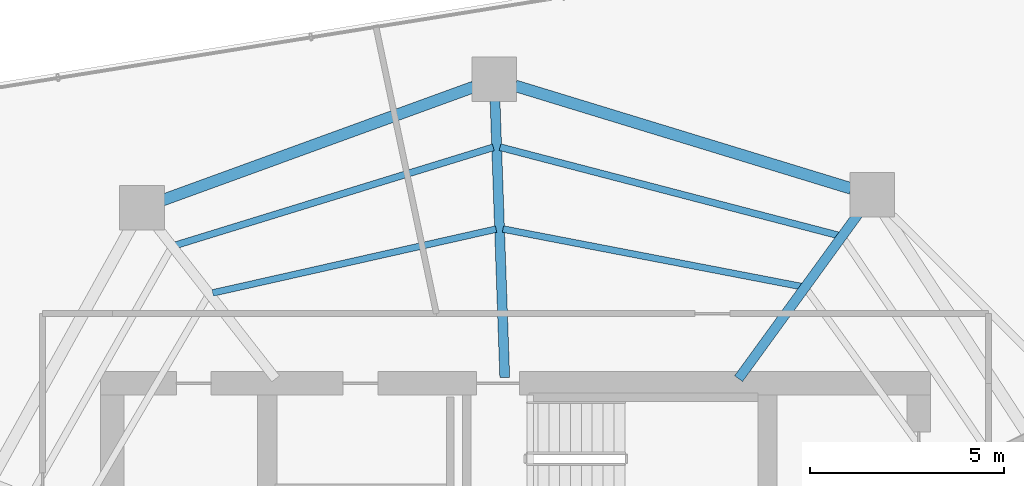
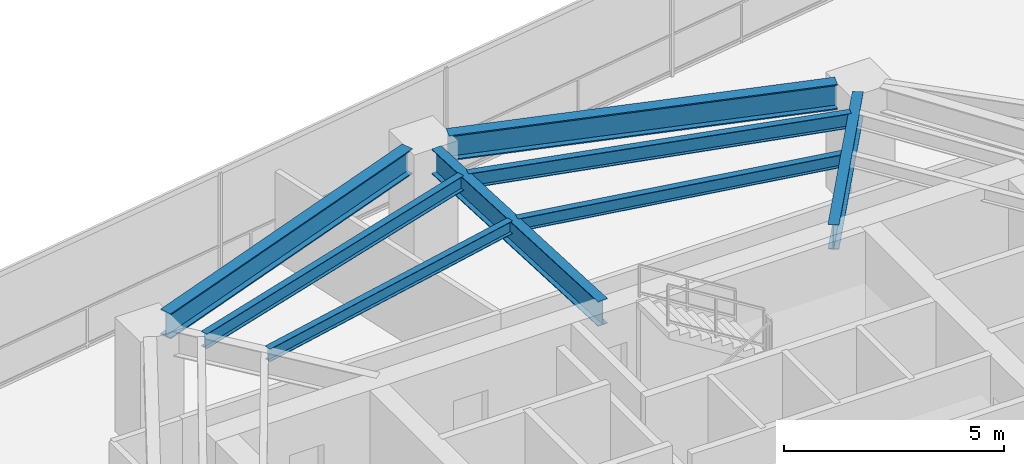
# One storey, part 17 of 27: 8 beams.
"""IFC4 building model written with IfcOpenShell, lengths in metres."""

from ifc_helpers import new_model, si_unit, direction, frame, origin, origin_2d, place, context, subcontext, project, spatial, i_section, extrude, material, material_profile, profile_set, type_object, element, save


model = new_model("IFC4")

# Units and contexts
model_context = context("Model", 3, precision=1e-05, world=origin(), true_north=direction((0.0, 1.0)))
body_context = subcontext(model_context, "Body", "Model", "MODEL_VIEW")
ifc_project = project(units=[si_unit("LENGTHUNIT", "METRE"), si_unit("AREAUNIT", "SQUARE_METRE"), si_unit("VOLUMEUNIT", "CUBIC_METRE"), si_unit("PLANEANGLEUNIT", "RADIAN"), si_unit("MASSUNIT", "GRAM", prefix="KILO")], contexts=[model_context])

# Site, building, storey
site_placement = place(None, origin())
site = spatial("IfcSite", under=ifc_project, at=site_placement, CompositionType="ELEMENT")
building_placement = place(site_placement, origin())
building = spatial("IfcBuilding", under=site, at=building_placement, Name="Qarnah Convention Tower", CompositionType="ELEMENT")
storey_placement = place(building_placement, frame((0.0, 0.0, 100.5)))
storey = spatial("IfcBuildingStorey", under=building, at=storey_placement, Name="L26", CompositionType="ELEMENT", Elevation=100.5)

# Beams
ifc_material = material(Name="Structural steel S355JR", Category="steel")
ifc_material_profile_1 = material_profile(ifc_material, i_section(OverallWidth=0.172119140625, OverallDepth=0.35595703125, WebThickness=0.007080078125, FlangeThickness=0.011962890625, at=origin_2d()), Name="W360X51")
ifc_profile_set_1 = profile_set([ifc_material_profile_1], Name="Structural steel S355JR")
beam_type_1 = type_object("IfcBeamType", Name="BM-JST-W360", PredefinedType="JOIST", material=ifc_profile_set_1)
beam_1_placement = place(storey_placement, frame((44.580078125, 36.696044921875, 2.991943359375), z_axis=(-0.981928237513, 0.189253629755, 0.0), x_axis=(-0.189253629755, -0.981928237513, 0.0)))
element("IfcBeam", 1, at=beam_1_placement, inside=storey, type_object=beam_type_1, Name="L26 joist BM-L26-IJST-02", PredefinedType="JOIST", context=body_context, shape_type="SweptSolid", body=[
    extrude(i_section(OverallWidth=0.172119140625, OverallDepth=0.35595703125, WebThickness=0.007080078125, FlangeThickness=0.011962890625, at=origin_2d()), origin(), (0.0, 0.0, 1.0), 7.845947265625),
])
beam_2_placement = place(storey_placement, frame((36.699951171875, 38.177978515625, 2.991943359375), z_axis=(-0.97555915594, -0.219736963805, 0.0), x_axis=(0.219736963805, -0.97555915594, 0.0)))
element("IfcBeam", 2, at=beam_2_placement, inside=storey, type_object=beam_type_1, Name="L26 joist BM-L26-IJST-03", PredefinedType="JOIST", context=body_context, shape_type="SweptSolid", body=[
    extrude(i_section(OverallWidth=0.172119140625, OverallDepth=0.35595703125, WebThickness=0.007080078125, FlangeThickness=0.011962890625, at=origin_2d()), origin(), (0.0, 0.0, 1.0), 7.4951171875),
])
ifc_material_profile_2 = material_profile(ifc_material, i_section(OverallWidth=0.177978515625, OverallDepth=0.407958984375, WebThickness=0.008056640625, FlangeThickness=0.012939453125, at=origin_2d()), Name="W410X60")
ifc_profile_set_2 = profile_set([ifc_material_profile_2], Name="Structural steel S355JR")
beam_type_2 = type_object("IfcBeamType", Name="BM-JST-W410", PredefinedType="JOIST", material=ifc_profile_set_2)
beam_3_placement = place(storey_placement, frame((45.534912109375, 38.014892578125, 2.966064453125), z_axis=(-0.967652594239, 0.252286457944, 0.0), x_axis=(-0.252286457944, -0.967652594239, 0.0)))
element("IfcBeam", 3, at=beam_3_placement, inside=storey, type_object=beam_type_2, Name="L26 joist BM-L26-SJST-02", PredefinedType="JOIST", context=body_context, shape_type="SweptSolid", body=[
    extrude(i_section(OverallWidth=0.177978515625, OverallDepth=0.407958984375, WebThickness=0.008056640625, FlangeThickness=0.012939453125, at=origin_2d()), origin(), (0.0, 0.0, 1.0), 9.02587890625),
])
beam_4_placement = place(storey_placement, frame((36.6279296875, 40.2880859375, 2.966064453125), z_axis=(-0.955658935574, -0.294475803519, 0.0), x_axis=(0.294475803519, -0.955658935574, 0.0)))
element("IfcBeam", 4, at=beam_4_placement, inside=storey, type_object=beam_type_2, Name="L26 joist BM-L26-SJST-03", PredefinedType="JOIST", context=body_context, shape_type="SweptSolid", body=[
    extrude(i_section(OverallWidth=0.177978515625, OverallDepth=0.407958984375, WebThickness=0.008056640625, FlangeThickness=0.012939453125, at=origin_2d()), origin(), (0.0, 0.0, 1.0), 8.578369140625),
])
ifc_material_profile_3 = material_profile(ifc_material, i_section(OverallWidth=0.25390625, OverallDepth=0.68798828125, WebThickness=0.012939453125, FlangeThickness=0.02099609375, at=origin_2d()), Name="W690X152")
ifc_profile_set_3 = profile_set([ifc_material_profile_3], Name="Structural steel S355JR")
beam_type_3 = type_object("IfcBeamType", Name="BM-RAD-W690", PredefinedType="BEAM", material=ifc_profile_set_3)
beam_5_placement = place(storey_placement, frame((42.955078125, 34.321044921875, 2.825927734375), z_axis=(0.587824069471, 0.808988790621, 0.0), x_axis=(-0.808988790621, 0.587824069471, 0.0)))
element("IfcBeam", 5, at=beam_5_placement, inside=storey, type_object=beam_type_3, Name="L26 beam BM-L26-RAD-02", PredefinedType="BEAM", context=body_context, shape_type="SweptSolid", body=[
    extrude(i_section(OverallWidth=0.25390625, OverallDepth=0.68798828125, WebThickness=0.012939453125, FlangeThickness=0.02099609375, at=origin_2d()), origin(), (0.0, 0.0, 1.0), 5.30419921875),
])
beam_6_placement = place(storey_placement, frame((36.923095703125, 34.35009765625, 2.825927734375), z_axis=(-0.035017005912, 0.99938671659, 0.0), x_axis=(-0.99938671659, -0.035017005912, 0.0)))
element("IfcBeam", 6, at=beam_6_placement, inside=storey, type_object=beam_type_3, Name="L26 beam BM-L26-RAD-03", PredefinedType="BEAM", context=body_context, shape_type="SweptSolid", body=[
    extrude(i_section(OverallWidth=0.25390625, OverallDepth=0.68798828125, WebThickness=0.012939453125, FlangeThickness=0.02099609375, at=origin_2d()), origin(), (0.0, 0.0, 1.0), 7.139404296875),
])
ifc_material_profile_4 = material_profile(ifc_material, i_section(OverallWidth=0.300048828125, OverallDepth=0.699951171875, WebThickness=0.01708984375, FlangeThickness=0.031982421875, at=origin_2d()), Name="HEB700")
ifc_profile_set_4 = profile_set([ifc_material_profile_4], Name="Structural steel S355JR")
beam_type_4 = type_object("IfcBeamType", Name="BM-RING-HEB700", PredefinedType="BEAM", material=ifc_profile_set_4)
beam_7_placement = place(storey_placement, frame((45.85888671875, 39.22607421875, 2.820068359375), z_axis=(-0.956309936148, 0.292354760565, 0.0), x_axis=(-0.292354760565, -0.956309936148, 0.0)))
element("IfcBeam", 7, at=beam_7_placement, inside=storey, type_object=beam_type_4, Name="L26 beam BM-L26-SPN-02", PredefinedType="BEAM", context=body_context, shape_type="SweptSolid", body=[
    extrude(i_section(OverallWidth=0.300048828125, OverallDepth=0.699951171875, WebThickness=0.01708984375, FlangeThickness=0.031982421875, at=origin_2d()), origin(), (0.0, 0.0, 1.0), 9.060546875),
])
beam_8_placement = place(storey_placement, frame((36.123046875, 41.846923828125, 2.820068359375), z_axis=(-0.939683226771, -0.342045952067, 0.0), x_axis=(0.342045952067, -0.939683226771, 0.0)))
element("IfcBeam", 8, at=beam_8_placement, inside=storey, type_object=beam_type_4, Name="L26 beam BM-L26-SPN-03", PredefinedType="BEAM", context=body_context, shape_type="SweptSolid", body=[
    extrude(i_section(OverallWidth=0.300048828125, OverallDepth=0.699951171875, WebThickness=0.01708984375, FlangeThickness=0.031982421875, at=origin_2d()), origin(), (0.0, 0.0, 1.0), 8.542236328125),
])

save(model, "model.ifc")
